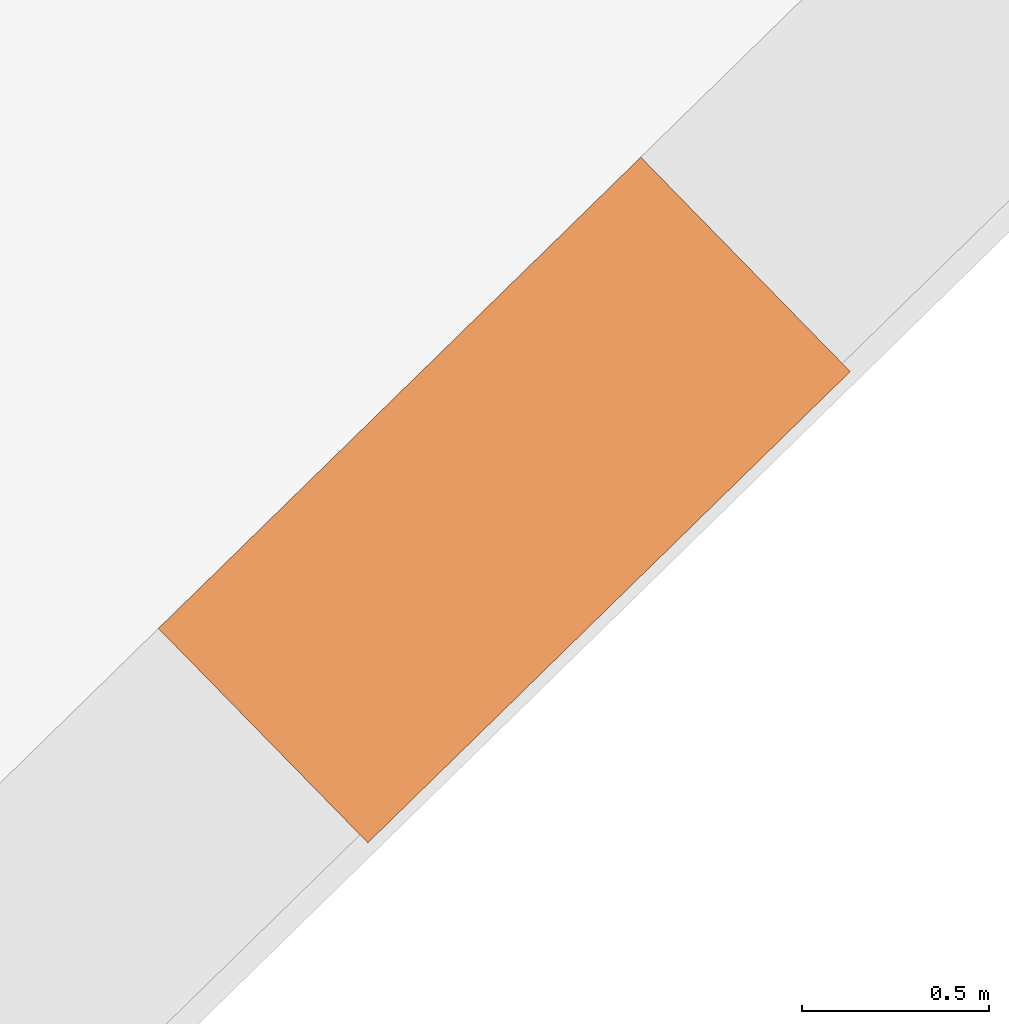
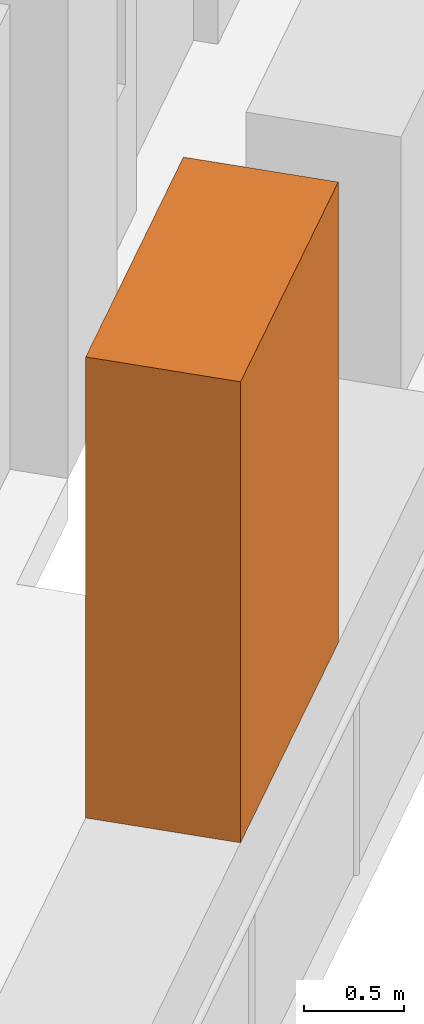
# One storey, part 19 of 19: 1 proxy.
"""IFC4 building model written with IfcOpenShell, lengths in metres."""

from ifc_helpers import new_model, si_unit, direction, frame, origin, origin_2d, place, context, subcontext, project, spatial, rectangle, extrude, element, save


model = new_model("IFC4")

# Units and contexts
model_context = context("Model", 3, precision=1e-05, world=origin(), true_north=direction((0.0, 1.0)))
body_context = subcontext(model_context, "Body", "Model", "MODEL_VIEW")
ifc_project = project(units=[si_unit("LENGTHUNIT", "METRE"), si_unit("AREAUNIT", "SQUARE_METRE"), si_unit("VOLUMEUNIT", "CUBIC_METRE"), si_unit("PLANEANGLEUNIT", "RADIAN"), si_unit("MASSUNIT", "GRAM", prefix="KILO")], contexts=[model_context])

# Site, building, storey
site_placement = place(None, origin())
site = spatial("IfcSite", under=ifc_project, at=site_placement, CompositionType="ELEMENT")
building_placement = place(site_placement, origin())
building = spatial("IfcBuilding", under=site, at=building_placement, Name="Cantera Rosa Tower", CompositionType="ELEMENT")
storey_placement = place(building_placement, frame((0.0, 0.0, 223.39990234375)))
storey = spatial("IfcBuildingStorey", under=building, at=storey_placement, Name="L48", CompositionType="ELEMENT", Elevation=223.39990234375)

# Proxy
proxy_placement = place(storey_placement, frame((10.46240234375, -23.186767578125, 1.60009765625), z_axis=(0.0, 0.0, 1.0), x_axis=(0.71528629107, 0.698831540364, 0.0)))
element("IfcBuildingElementProxy", 1, at=proxy_placement, inside=storey, Name="TREE L48-17", ObjectType="TREE", PredefinedType="USERDEFINED", context=body_context, shape_type="SweptSolid", body=[
    extrude(rectangle(XDim=1.800048828125, YDim=0.800048828125, at=origin_2d()), origin(), (0.0, 0.0, 1.0), 2.800048828125),
])

save(model, "model.ifc")
